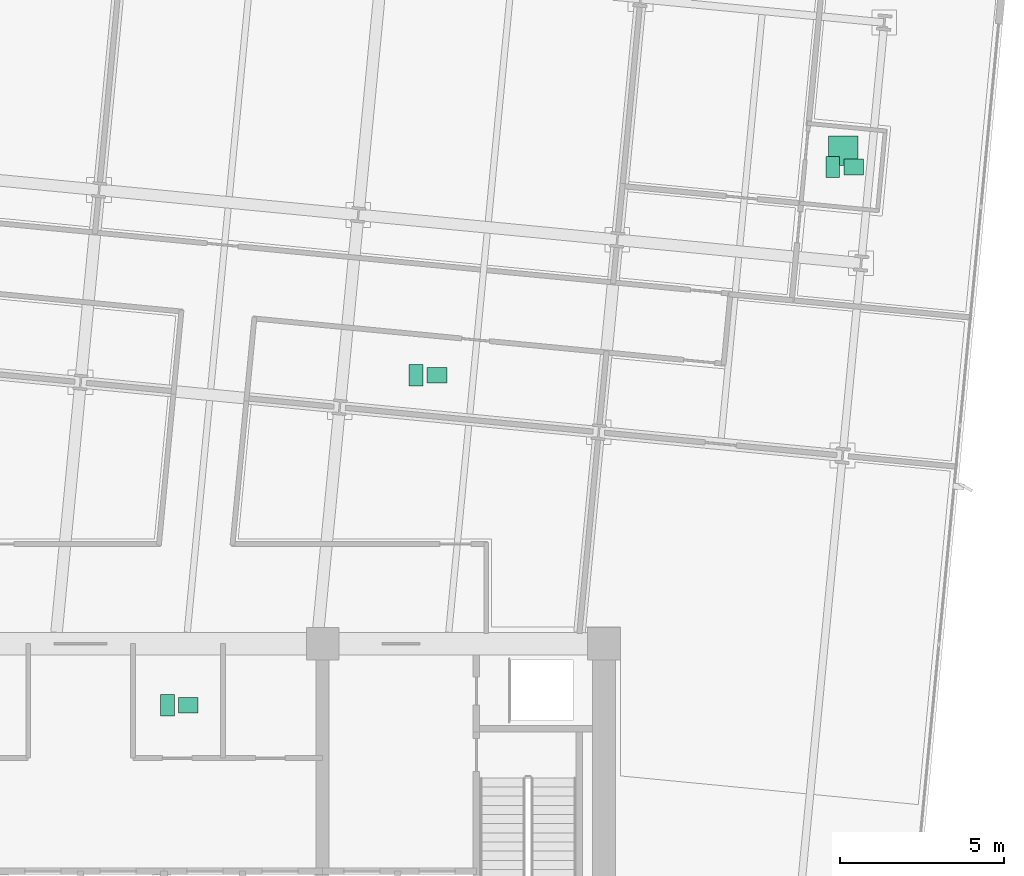
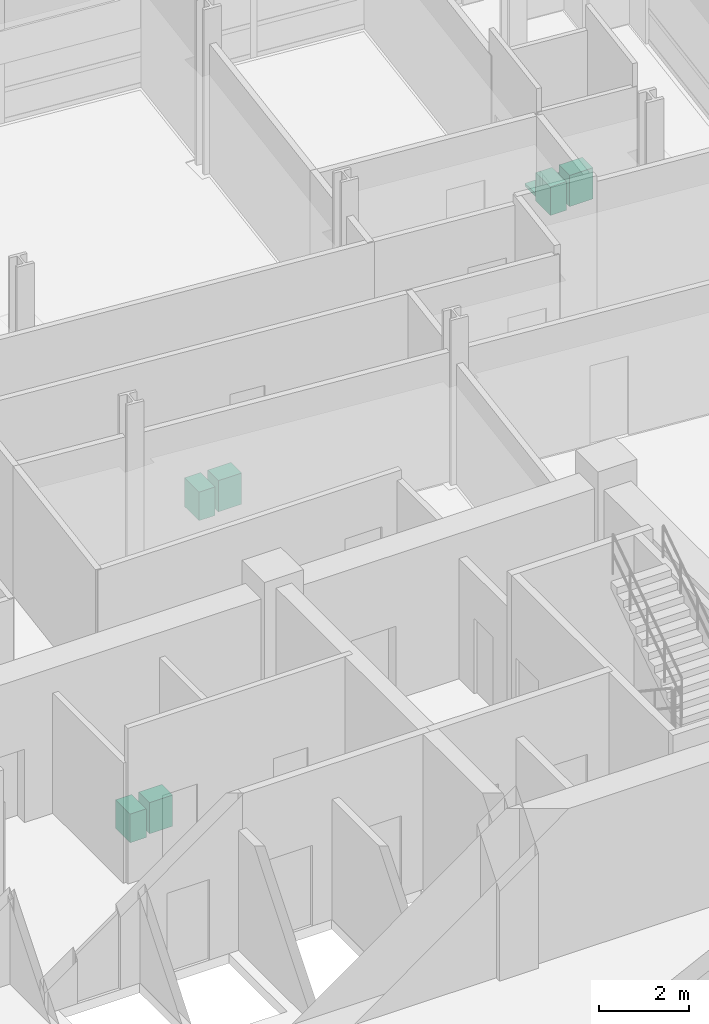
# One storey, part 17 of 17: 7 sanitary terminals.
"""IFC4 building model written with IfcOpenShell, lengths in metres."""

import ifcopenshell
import ifcopenshell.guid

model = None  # the IFC model being written
_history = None  # IfcOwnerHistory: only IFC2X3 demands one
_inside = {}  # id of a spatial element -> (the spatial element, [elements in it])
_under = {}  # id of a project, library or spatial element -> (it, [spatial elements below it])
_declared = {}  # id of a project -> (the project, [libraries it declares])
_typed = {}  # id of a type object -> (the type object, [elements of that type])
_made_of = {}  # id of a material, layer set ... -> (it, [elements and type objects made of it])


def new_model(schema):
    """Start an empty IFC model of exactly this schema.

    Asked for "IFC4X3", IfcOpenShell would pick the latest addendum, in which some entities
    have other attributes; the version numbers below select the first issue.
    IFC2X3 requires an IfcOwnerHistory on every rooted entity: one is made here for all.
    """
    global model, _history
    if schema == "IFC4X3":
        model = ifcopenshell.file(schema_version=(4, 3, 0, 0))
    else:
        model = ifcopenshell.file(schema=schema)
    _inside.clear()
    _under.clear()
    _declared.clear()
    _typed.clear()
    _made_of.clear()
    _history = None
    if model.schema == "IFC2X3":
        org = make("IfcOrganization", Name="unknown")
        user = make(
            "IfcPersonAndOrganization",
            ThePerson=make("IfcPerson", FamilyName="unknown"),
            TheOrganization=org,
        )
        app = make(
            "IfcApplication",
            ApplicationDeveloper=org,
            Version="unknown",
            ApplicationFullName="unknown",
            ApplicationIdentifier="unknown",
        )
        _history = make(
            "IfcOwnerHistory",
            OwningUser=user,
            OwningApplication=app,
            ChangeAction="ADDED",
            CreationDate=0,
        )
    return model


def make(cls, **values):
    """One entity of the class cls with the attributes given. An attribute that is None is left unset."""
    return model.create_entity(
        cls, **{name: value for name, value in values.items() if value is not None}
    )


def rooted(cls, **values):
    """An entity with a GlobalId (a new one), such as an element, a storey or a relation."""
    return make(cls, GlobalId=ifcopenshell.guid.new(), OwnerHistory=_history, **values)


def si_unit(unit_type, name, prefix=None):
    """IfcSIUnit, for example si_unit("LENGTHUNIT", "METRE", prefix="MILLI")."""
    return make("IfcSIUnit", UnitType=unit_type, Prefix=prefix, Name=name)


def assignment(units):
    """IfcUnitAssignment: the units of a project."""
    return None if units is None else make("IfcUnitAssignment", Units=units)


def point(xyz):
    """IfcCartesianPoint."""
    return None if xyz is None else make("IfcCartesianPoint", Coordinates=xyz)


def direction(xyz):
    """IfcDirection."""
    return None if xyz is None else make("IfcDirection", DirectionRatios=xyz)


def frame(location, z_axis=None, x_axis=None):
    """IfcAxis2Placement3D, a coordinate frame: its origin and axes. An axis left out is left unset."""
    return make(
        "IfcAxis2Placement3D",
        Location=point(location),
        Axis=direction(z_axis),
        RefDirection=direction(x_axis),
    )


def frame_2d(location, x_axis=None):
    """IfcAxis2Placement2D, a coordinate frame in the plane: its origin and x axis."""
    return make(
        "IfcAxis2Placement2D", Location=point(location), RefDirection=direction(x_axis)
    )


def origin():
    """The frame at (0, 0, 0) with its axes left unset."""
    return frame((0.0, 0.0, 0.0))


def origin_2d():
    """The frame at (0, 0) in the plane with its x axis left unset."""
    return frame_2d((0.0, 0.0))


def place(relative_to, where):
    """IfcLocalPlacement: puts the frame where relative to a parent placement (None: the world)."""
    return make(
        "IfcLocalPlacement", PlacementRelTo=relative_to, RelativePlacement=where
    )


def context(
    kind, dimensions, precision=None, world=None, true_north=None, identifier=None
):
    """IfcGeometricRepresentationContext, for example the 3D "Model" context."""
    return make(
        "IfcGeometricRepresentationContext",
        ContextIdentifier=identifier,
        ContextType=kind,
        CoordinateSpaceDimension=dimensions,
        Precision=precision,
        WorldCoordinateSystem=world,
        TrueNorth=true_north,
    )


def subcontext(parent, identifier, kind, view, scale=None):
    """IfcGeometricRepresentationSubContext, for example "Body" below "Model"."""
    return make(
        "IfcGeometricRepresentationSubContext",
        ContextIdentifier=identifier,
        ContextType=kind,
        ParentContext=parent,
        TargetScale=scale,
        TargetView=view,
    )


def project(units=None, contexts=None):
    """IfcProject with its units and contexts."""
    return rooted(
        "IfcProject",
        Name="project",
        RepresentationContexts=contexts,
        UnitsInContext=assignment(units),
    )


def spatial(cls, under=None, at=None, **own):
    """A site, building, storey or space (cls), placed at a placement, below another one or the project."""
    s = rooted(cls, ObjectPlacement=at, **own)
    if under is not None:
        _under.setdefault(under.id(), (under, []))[1].append(s)
    return s


def profile(cls, at=None, kind="AREA", **sizes):
    """A parametric profile (cls). Its sizes go by their IFC names, for example OverallWidth=200.0."""
    return make(cls, ProfileType=kind, Position=at, **sizes)


def rectangle(**sizes):
    """IfcRectangleProfileDef."""
    return profile("IfcRectangleProfileDef", **sizes)


def extrude(swept, where, along, depth):
    """IfcExtrudedAreaSolid: the profile swept, set in the frame where, extruded along a direction by depth."""
    return make(
        "IfcExtrudedAreaSolid",
        SweptArea=swept,
        Position=where,
        ExtrudedDirection=direction(along),
        Depth=depth,
    )


def shape(context_of_items, identifier, shape_type, items):
    """IfcShapeRepresentation: the items that make up one representation, for example the "Body"."""
    return make(
        "IfcShapeRepresentation",
        ContextOfItems=context_of_items,
        RepresentationIdentifier=identifier,
        RepresentationType=shape_type,
        Items=items,
    )


def material(Name=None, Category=None):
    """IfcMaterial."""
    return make("IfcMaterial", Name=Name, Category=Category)


def made_of(thing, what):
    """Note that an element or type object is made of a material, layer set ...; save() writes the relation."""
    if what is not None:
        _made_of.setdefault(what.id(), (what, []))[1].append(thing)
    return thing


def type_object(cls, material=None, **own):
    """A type object (cls), such as IfcWallType, which elements share."""
    return made_of(rooted(cls, **own), material)


def element(
    cls,
    number,
    at=None,
    inside=None,
    cuts=None,
    type_object=None,
    material=None,
    context=None,
    identifier="Body",
    shape_type=None,
    held_by="IfcProductDefinitionShape",
    body=None,
    shapes=None,
    **own,
):
    """One element of the class cls, such as IfcWall. Its Tag is "e" and its number.

    at: its placement. inside: the storey or other place that contains it. cuts: it is an
    opening in that element (IfcRelVoidsElement). A single representation is given by context,
    identifier, shape_type and body (its items); several are given by shapes. held_by: the class
    of the entity that holds the representations. save() writes the other relations.
    """
    e = rooted(cls, Tag="e%d" % number, ObjectPlacement=at, **own)
    if body is not None:
        shapes = [shape(context, identifier, shape_type, body)]
    if shapes is not None:
        e.Representation = make(held_by, Representations=shapes)
    if inside is not None:
        _inside.setdefault(inside.id(), (inside, []))[1].append(e)
    if cuts is not None:
        rooted(
            "IfcRelVoidsElement", RelatingBuildingElement=cuts, RelatedOpeningElement=e
        )
    if type_object is not None:
        _typed.setdefault(type_object.id(), (type_object, []))[1].append(e)
    return made_of(e, material)


def aggregate(whole, parts):
    """IfcRelAggregates: a whole, such as a stair, and the parts it consists of."""
    return rooted("IfcRelAggregates", RelatingObject=whole, RelatedObjects=parts)


def save(model, path):
    """Write the relations noted so far, then the file.

    IfcRelAggregates (storeys below a building ...), IfcRelContainedInSpatialStructure (elements
    in a storey), IfcRelDefinesByType, IfcRelAssociatesMaterial and IfcRelDeclares: one each for
    every whole, place, type object, material and project.
    """
    for whole, parts in _under.values():
        aggregate(whole, parts)
    for where, things in _inside.values():
        rooted(
            "IfcRelContainedInSpatialStructure",
            RelatedElements=things,
            RelatingStructure=where,
        )
    for kind, things in _typed.values():
        rooted("IfcRelDefinesByType", RelatedObjects=things, RelatingType=kind)
    for what, things in _made_of.values():
        rooted("IfcRelAssociatesMaterial", RelatedObjects=things, RelatingMaterial=what)
    for by, libraries in _declared.values():
        rooted("IfcRelDeclares", RelatingContext=by, RelatedDefinitions=libraries)
    model.write(path)


model = new_model("IFC4")

# Units and contexts
model_context = context("Model", 3, precision=1e-05, world=origin(), true_north=direction((0.0, 1.0)))
body_context = subcontext(model_context, "Body", "Model", "MODEL_VIEW")
ifc_project = project(units=[si_unit("LENGTHUNIT", "METRE"), si_unit("AREAUNIT", "SQUARE_METRE"), si_unit("VOLUMEUNIT", "CUBIC_METRE"), si_unit("PLANEANGLEUNIT", "RADIAN"), si_unit("MASSUNIT", "GRAM", prefix="KILO")], contexts=[model_context])

# Site, building, storey
site_placement = place(None, origin())
site = spatial("IfcSite", under=ifc_project, at=site_placement, CompositionType="ELEMENT")
building_placement = place(site_placement, origin())
building = spatial("IfcBuilding", under=site, at=building_placement, Name="Solmavex Isthmus Hotel", CompositionType="ELEMENT")
storey_placement = place(building_placement, frame((0.0, 0.0, 177.300048828125)))
storey = spatial("IfcBuildingStorey", under=building, at=storey_placement, Name="L48", CompositionType="ELEMENT", Elevation=177.300048828125)

# Sanitary terminals
ifc_material = material(Name="Vitreous china ceramic", Category="ceramic")
sanitary_terminal_type_1 = type_object("IfcSanitaryTerminalType", Name="SAN-BASIN", PredefinedType="WASHHANDBASIN", material=ifc_material)
for number, where, z_axis, x_axis, name in (
    (1, (3.294921875, -4.385009765625, 0.0), (0.0, 0.0, 1.0), (1.0, 0.0, 0.0), "Vanity Washbasin L48-224"),
    (2, (23.630126953125, 12.069580078125, 0.0), (0.0, 0.0, 1.0), (1.0, 0.0, 0.0), "Vanity Washbasin L48-225"),
    (3, (10.895263671875, 5.702880859375, 0.0), (0.0, 0.0, 1.0), (1.0, 0.0, 0.0), "Vanity Washbasin L48-226"),
):
    element("IfcSanitaryTerminal", number, at=place(storey_placement, frame(where, z_axis=z_axis, x_axis=x_axis)), inside=storey, type_object=sanitary_terminal_type_1, Name=name, PredefinedType="WASHHANDBASIN", context=body_context, shape_type="SweptSolid", body=[
        extrude(rectangle(XDim=0.60009765625, YDim=0.47998046875, at=origin_2d()), origin(), (0.0, 0.0, 1.0), 0.85009765625),
    ])
sanitary_terminal_type_2 = type_object("IfcSanitaryTerminalType", Name="SAN-SHOWER", PredefinedType="SHOWER", material=ifc_material)
sanitary_terminal_placement = place(storey_placement, frame((23.310302734375, 12.569580078125, 0.0), z_axis=(0.0, 0.0, 1.0), x_axis=(1.0, 0.0, 0.0)))
element("IfcSanitaryTerminal", 4, at=sanitary_terminal_placement, inside=storey, type_object=sanitary_terminal_type_2, Name="Walk-In Shower L48-225", PredefinedType="SHOWER", context=body_context, shape_type="SweptSolid", body=[
    extrude(rectangle(XDim=0.89990234375, YDim=0.89990234375, at=origin_2d()), origin(), (0.0, 0.0, 1.0), 0.080078125),
])
sanitary_terminal_type_3 = type_object("IfcSanitaryTerminalType", Name="SAN-WC-SUITE", PredefinedType="TOILETPAN", material=ifc_material)
for number, where, z_axis, x_axis, name in (
    (5, (2.655029296875, -4.385009765625, 0.0), (0.0, 0.0, 1.0), (1.0, 0.0, 0.0), "Water Closet L48-224"),
    (6, (22.990234375, 12.069580078125, 0.0), (0.0, 0.0, 1.0), (1.0, 0.0, 0.0), "Water Closet L48-225"),
    (7, (10.25537109375, 5.702880859375, 0.0), (0.0, 0.0, 1.0), (1.0, 0.0, 0.0), "Water Closet L48-226"),
):
    element("IfcSanitaryTerminal", number, at=place(storey_placement, frame(where, z_axis=z_axis, x_axis=x_axis)), inside=storey, type_object=sanitary_terminal_type_3, Name=name, PredefinedType="TOILETPAN", context=body_context, shape_type="SweptSolid", body=[
        extrude(rectangle(XDim=0.419921875, YDim=0.64990234375, at=origin_2d()), origin(), (0.0, 0.0, 1.0), 0.780029296875),
    ])

save(model, "model.ifc")
